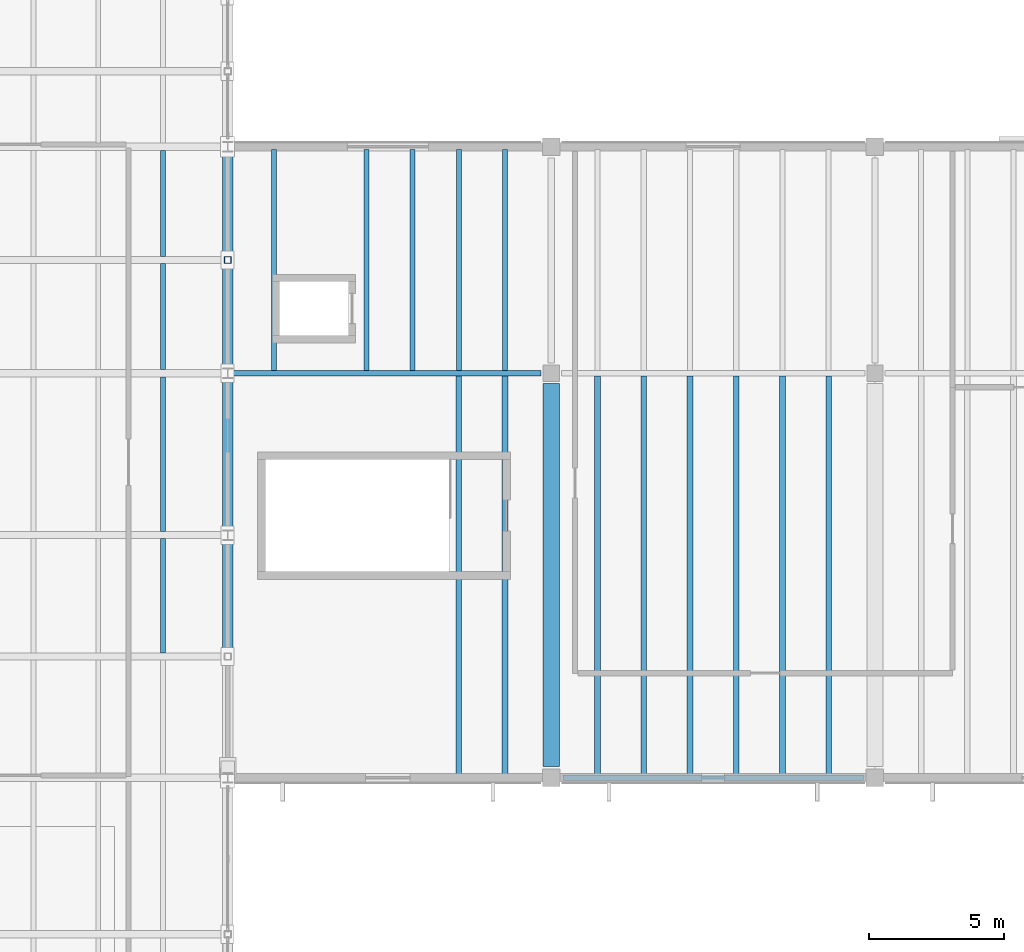
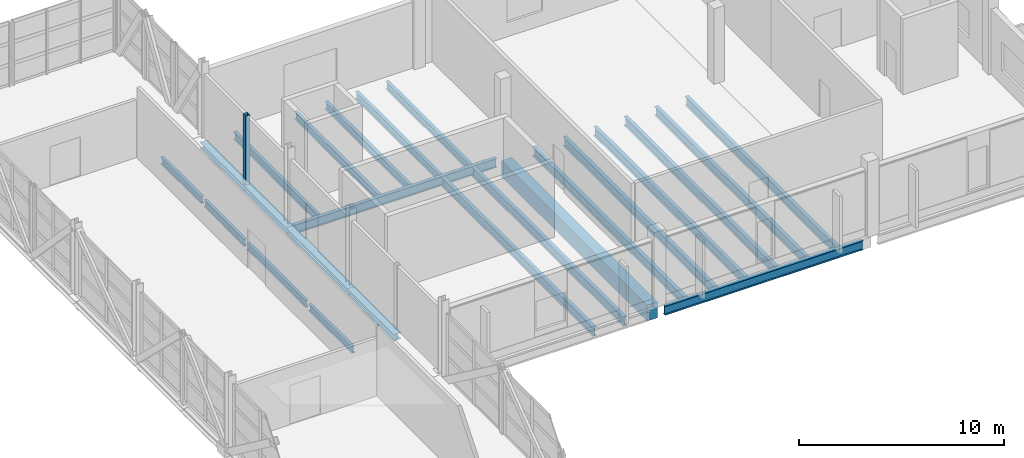
# One storey, part 36 of 63: 24 beams, 1 member.
"""IFC4 building model written with IfcOpenShell, lengths in metres."""

from ifc_helpers import new_model, si_unit, direction, frame, origin, origin_2d, place, context, subcontext, project, spatial, rectangle, hollow_rectangle, i_section, extrude, material, material_profile, profile_set, type_object, element, save


model = new_model("IFC4")

# Units and contexts
model_context = context("Model", 3, precision=1e-05, world=origin(), true_north=direction((0.0, 1.0)))
body_context = subcontext(model_context, "Body", "Model", "MODEL_VIEW")
ifc_project = project(units=[si_unit("LENGTHUNIT", "METRE"), si_unit("AREAUNIT", "SQUARE_METRE"), si_unit("VOLUMEUNIT", "CUBIC_METRE"), si_unit("PLANEANGLEUNIT", "RADIAN"), si_unit("MASSUNIT", "GRAM", prefix="KILO")], contexts=[model_context])

# Site, building, storey
site_placement = place(None, origin())
site = spatial("IfcSite", under=ifc_project, at=site_placement, CompositionType="ELEMENT")
building_placement = place(site_placement, origin())
building = spatial("IfcBuilding", under=site, at=building_placement, Name="Kelmvaro Bay Concert Hall", CompositionType="ELEMENT")
storey_placement = place(building_placement, frame((0.0, 0.0, 13.800048828125)))
storey = spatial("IfcBuildingStorey", under=building, at=storey_placement, Name="L03", CompositionType="ELEMENT", Elevation=13.800048828125)

# Beams
ifc_material_1 = material(Name="Steel ASTM A992 Grade 50", Category="steel")
ifc_material_profile_1 = material_profile(ifc_material_1, i_section(OverallWidth=0.177978515625, OverallDepth=0.406005859375, WebThickness=0.0078125, FlangeThickness=0.0126953125, at=origin_2d()), Name="W16X40")
ifc_profile_set_1 = profile_set([ifc_material_profile_1], Name="Steel ASTM A992 Grade 50")
beam_type_1 = type_object("IfcBeamType", Name="Bridge Deck Floor Joist W16x40", PredefinedType="JOIST", material=ifc_profile_set_1)
beam_1_placement = place(storey_placement, frame((129.60009765625, 78.43359375, -0.532958984375), z_axis=(0.0, 1.0, 0.0), x_axis=(-1.0, 0.0, 0.0)))
element("IfcBeam", 1, at=beam_1_placement, inside=storey, type_object=beam_type_1, Name="Bridge Deck Joist L03-16", PredefinedType="JOIST", context=body_context, shape_type="SweptSolid", body=[
    extrude(i_section(OverallWidth=0.177978515625, OverallDepth=0.406005859375, WebThickness=0.0078125, FlangeThickness=0.0126953125, at=origin_2d()), origin(), (0.0, 0.0, 1.0), 4.23291015625),
])
beam_2_placement = place(storey_placement, frame((129.60009765625, 82.93359375, -0.532958984375), z_axis=(0.0, 1.0, 0.0), x_axis=(-1.0, 0.0, 0.0)))
element("IfcBeam", 2, at=beam_2_placement, inside=storey, type_object=beam_type_1, Name="Bridge Deck Joist L03-17", PredefinedType="JOIST", context=body_context, shape_type="SweptSolid", body=[
    extrude(i_section(OverallWidth=0.177978515625, OverallDepth=0.406005859375, WebThickness=0.0078125, FlangeThickness=0.0126953125, at=origin_2d()), origin(), (0.0, 0.0, 1.0), 5.73291015625),
])
for number, where, z_axis, x_axis, name in (
    (3, (129.60009765625, 88.93359375, -0.532958984375), (0.0, 1.0, 0.0), (-1.0, 0.0, 0.0), "Bridge Deck Joist L03-18"),
    (4, (129.60009765625, 93.133544921875, -0.532958984375), (0.0, 1.0, 0.0), (-1.0, 0.0, 0.0), "Bridge Deck Joist L03-19"),
):
    element("IfcBeam", number, at=place(storey_placement, frame(where, z_axis=z_axis, x_axis=x_axis)), inside=storey, type_object=beam_type_1, Name=name, PredefinedType="JOIST", context=body_context, shape_type="SweptSolid", body=[
        extrude(i_section(OverallWidth=0.177978515625, OverallDepth=0.406005859375, WebThickness=0.0078125, FlangeThickness=0.0126953125, at=origin_2d()), origin(), (0.0, 0.0, 1.0), 3.932861328125),
    ])
ifc_material_2 = material(Name="Steel ASTM A992 Grade 50", Category="steel")
ifc_material_profile_2 = material_profile(ifc_material_2, i_section(OverallWidth=0.39892578125, OverallDepth=0.385986328125, WebThickness=0.02099609375, FlangeThickness=0.033203125, at=origin_2d()), Name="W14X176")
ifc_profile_set_2 = profile_set([ifc_material_profile_2], Name="Steel ASTM A992 Grade 50")
beam_type_2 = type_object("IfcBeamType", Name="Bridge Truss Bottom Chord W14x176", PredefinedType="BEAM", material=ifc_profile_set_2)
beam_3_placement = place(storey_placement, frame((132.0, 78.300048828125, -0.52294921875), z_axis=(0.0, 1.0, 0.0), x_axis=(-1.0, 0.0, 0.0)))
element("IfcBeam", 5, at=beam_3_placement, inside=storey, type_object=beam_type_2, Name="Bridge Truss E Bottom Chord 16", PredefinedType="BEAM", context=body_context, shape_type="SweptSolid", body=[
    extrude(i_section(OverallWidth=0.39892578125, OverallDepth=0.385986328125, WebThickness=0.02099609375, FlangeThickness=0.033203125, at=origin_2d()), origin(), (0.0, 0.0, 1.0), 4.5),
])
beam_4_placement = place(storey_placement, frame((132.0, 82.800048828125, -0.52294921875), z_axis=(0.0, 1.0, 0.0), x_axis=(-1.0, 0.0, 0.0)))
element("IfcBeam", 6, at=beam_4_placement, inside=storey, type_object=beam_type_2, Name="Bridge Truss E Bottom Chord 17", PredefinedType="BEAM", context=body_context, shape_type="SweptSolid", body=[
    extrude(i_section(OverallWidth=0.39892578125, OverallDepth=0.385986328125, WebThickness=0.02099609375, FlangeThickness=0.033203125, at=origin_2d()), origin(), (0.0, 0.0, 1.0), 6.0),
])
for number, where, z_axis, x_axis, name in (
    (7, (132.0, 88.800048828125, -0.52294921875), (0.0, 1.0, 0.0), (-1.0, 0.0, 0.0), "Bridge Truss E Bottom Chord 18"),
    (8, (132.0, 93.0, -0.52294921875), (0.0, 1.0, 0.0), (-1.0, 0.0, 0.0), "Bridge Truss E Bottom Chord 19"),
):
    element("IfcBeam", number, at=place(storey_placement, frame(where, z_axis=z_axis, x_axis=x_axis)), inside=storey, type_object=beam_type_2, Name=name, PredefinedType="BEAM", context=body_context, shape_type="SweptSolid", body=[
        extrude(i_section(OverallWidth=0.39892578125, OverallDepth=0.385986328125, WebThickness=0.02099609375, FlangeThickness=0.033203125, at=origin_2d()), origin(), (0.0, 0.0, 1.0), 4.199951171875),
    ])

# Member
ifc_material_3 = material(Name="Steel ASTM A500 Grade C", Category="steel")
ifc_material_profile_3 = material_profile(ifc_material_3, hollow_rectangle(XDim=0.25, YDim=0.25, WallThickness=0.010009765625, at=origin_2d()), Name="HSS250X250X10")
ifc_profile_set_3 = profile_set([ifc_material_profile_3], Name="Steel ASTM A500 Grade C")
member_type = type_object("IfcMemberType", Name="Bridge Truss Vertical Post HSS250x250x10", PredefinedType="STRUT", material=ifc_profile_set_3)
member_placement = place(storey_placement, frame((132.0, 93.0, -0.322021484375), z_axis=(0.0, 0.0, 1.0), x_axis=(1.0, 0.0, 0.0)))
element("IfcMember", 9, at=member_placement, inside=storey, type_object=member_type, Name="Bridge Truss E Vertical Post 19", PredefinedType="STRUT", context=body_context, shape_type="SweptSolid", body=[
    extrude(hollow_rectangle(XDim=0.25, YDim=0.25, WallThickness=0.010009765625, at=origin_2d()), origin(), (0.0, 0.0, 1.0), 4.135009765625),
])

# Beams
ifc_material_4 = material(Name="Steel ASTM A992 Grade 50", Category="steel")
ifc_material_profile_4 = material_profile(ifc_material_4, i_section(OverallWidth=0.2099609375, OverallDepth=0.535888671875, WebThickness=0.010986328125, FlangeThickness=0.017333984375, at=origin_2d()), Name="W21X68")
ifc_profile_set_4 = profile_set([ifc_material_profile_4], Name="Steel ASTM A992 Grade 50")
beam_type_3 = type_object("IfcBeamType", Name="Crystal Roof Tie Girder W21x68", PredefinedType="BEAM", material=ifc_profile_set_4)
beam_5_placement = place(storey_placement, frame((144.425048828125, 73.800048828125, -0.548095703125), z_axis=(1.0, 0.0, 0.0), x_axis=(0.0, 1.0, 0.0)))
element("IfcBeam", 10, at=beam_5_placement, inside=storey, type_object=beam_type_3, Name="L03 Girder BM-L03-EW-1384", PredefinedType="BEAM", context=body_context, shape_type="SweptSolid", body=[
    extrude(i_section(OverallWidth=0.2099609375, OverallDepth=0.535888671875, WebThickness=0.010986328125, FlangeThickness=0.017333984375, at=origin_2d()), origin(), (0.0, 0.0, 1.0), 11.14990234375),
])
beam_6_placement = place(storey_placement, frame((132.200439453125, 88.800048828125, -0.548095703125), z_axis=(1.0, 0.0, 0.0), x_axis=(0.0, 1.0, 0.0)))
element("IfcBeam", 11, at=beam_6_placement, inside=storey, type_object=beam_type_3, Name="L03 Girder BM-L03-EW-1388", PredefinedType="BEAM", context=body_context, shape_type="SweptSolid", body=[
    extrude(i_section(OverallWidth=0.2099609375, OverallDepth=0.535888671875, WebThickness=0.010986328125, FlangeThickness=0.017333984375, at=origin_2d()), origin(), (0.0, 0.0, 1.0), 11.424560546875),
])
ifc_material_5 = material(Name="Concrete C40/50", Category="concrete")
ifc_material_profile_5 = material_profile(ifc_material_5, rectangle(XDim=0.60009765625, YDim=0.949951171875, at=origin_2d()), Name="RC-BM-600X950")
ifc_profile_set_5 = profile_set([ifc_material_profile_5], Name="Concrete C40/50")
beam_type_4 = type_object("IfcBeamType", Name="Hall Primary Girder RC600x950", PredefinedType="BEAM", material=ifc_profile_set_5)
beam_7_placement = place(storey_placement, frame((144.0, 74.22509765625, -0.755126953125), z_axis=(0.0, 1.0, 0.0), x_axis=(-1.0, 0.0, 0.0)))
element("IfcBeam", 12, at=beam_7_placement, inside=storey, type_object=beam_type_4, Name="L03 Girder BM-L03-NS-1454", PredefinedType="BEAM", context=body_context, shape_type="SweptSolid", body=[
    extrude(rectangle(XDim=0.60009765625, YDim=0.949951171875, at=origin_2d()), origin(), (0.0, 0.0, 1.0), 14.199951171875),
])
ifc_material_6 = material(Name="Steel ASTM A992 Grade 50", Category="steel")
ifc_material_profile_6 = material_profile(ifc_material_6, i_section(OverallWidth=0.2099609375, OverallDepth=0.535888671875, WebThickness=0.010986328125, FlangeThickness=0.017333984375, at=origin_2d()), Name="W21X68")
ifc_profile_set_6 = profile_set([ifc_material_profile_6], Name="Steel ASTM A992 Grade 50")
beam_type_5 = type_object("IfcBeamType", Name="Heavy Floor Joist W21x68", PredefinedType="JOIST", material=ifc_profile_set_6)
for number, where, z_axis, x_axis, name in (
    (13, (140.5712890625, 73.905029296875, -0.548095703125), (0.0, 1.0, 0.0), (-1.0, 0.0, 0.0), "L03 Floor Joist JST-L03-1625"),
    (14, (142.28564453125, 73.905029296875, -0.548095703125), (0.0, 1.0, 0.0), (-1.0, 0.0, 0.0), "L03 Floor Joist JST-L03-1626"),
    (15, (145.71435546875, 73.905029296875, -0.548095703125), (0.0, 1.0, 0.0), (-1.0, 0.0, 0.0), "L03 Floor Joist JST-L03-1627"),
    (16, (147.4287109375, 73.905029296875, -0.548095703125), (0.0, 1.0, 0.0), (-1.0, 0.0, 0.0), "L03 Floor Joist JST-L03-1628"),
    (17, (149.142822265625, 73.905029296875, -0.548095703125), (0.0, 1.0, 0.0), (-1.0, 0.0, 0.0), "L03 Floor Joist JST-L03-1629"),
    (18, (150.857177734375, 73.905029296875, -0.548095703125), (0.0, 1.0, 0.0), (-1.0, 0.0, 0.0), "L03 Floor Joist JST-L03-1630"),
    (19, (152.5712890625, 73.905029296875, -0.548095703125), (0.0, 1.0, 0.0), (-1.0, 0.0, 0.0), "L03 Floor Joist JST-L03-1631"),
    (20, (154.28564453125, 73.905029296875, -0.548095703125), (0.0, 1.0, 0.0), (-1.0, 0.0, 0.0), "L03 Floor Joist JST-L03-1632"),
):
    element("IfcBeam", number, at=place(storey_placement, frame(where, z_axis=z_axis, x_axis=x_axis)), inside=storey, type_object=beam_type_5, Name=name, PredefinedType="JOIST", context=body_context, shape_type="SweptSolid", body=[
        extrude(i_section(OverallWidth=0.2099609375, OverallDepth=0.535888671875, WebThickness=0.010986328125, FlangeThickness=0.017333984375, at=origin_2d()), origin(), (0.0, 0.0, 1.0), 14.7900390625),
    ])
ifc_material_7 = material(Name="Steel ASTM A992 Grade 50", Category="steel")
ifc_material_profile_7 = material_profile(ifc_material_7, i_section(OverallWidth=0.19091796875, OverallDepth=0.45703125, WebThickness=0.009033203125, FlangeThickness=0.014404296875, at=origin_2d()), Name="W18X50")
ifc_profile_set_7 = profile_set([ifc_material_profile_7], Name="Steel ASTM A992 Grade 50")
beam_type_6 = type_object("IfcBeamType", Name="Standard Composite Floor Joist W18x50", PredefinedType="JOIST", material=ifc_profile_set_7)
for number, where, z_axis, x_axis, name in (
    (21, (133.71435546875, 88.905029296875, -0.508544921875), (0.0, 1.0, 0.0), (-1.0, 0.0, 0.0), "L03 Floor Joist JST-L03-1648"),
    (22, (137.142822265625, 88.905029296875, -0.508544921875), (0.0, 1.0, 0.0), (-1.0, 0.0, 0.0), "L03 Floor Joist JST-L03-1649"),
    (23, (138.857177734375, 88.905029296875, -0.508544921875), (0.0, 1.0, 0.0), (-1.0, 0.0, 0.0), "L03 Floor Joist JST-L03-1650"),
    (24, (140.5712890625, 88.905029296875, -0.508544921875), (0.0, 1.0, 0.0), (-1.0, 0.0, 0.0), "L03 Floor Joist JST-L03-1651"),
    (25, (142.28564453125, 88.905029296875, -0.508544921875), (0.0, 1.0, 0.0), (-1.0, 0.0, 0.0), "L03 Floor Joist JST-L03-1652"),
):
    element("IfcBeam", number, at=place(storey_placement, frame(where, z_axis=z_axis, x_axis=x_axis)), inside=storey, type_object=beam_type_6, Name=name, PredefinedType="JOIST", context=body_context, shape_type="SweptSolid", body=[
        extrude(i_section(OverallWidth=0.19091796875, OverallDepth=0.45703125, WebThickness=0.009033203125, FlangeThickness=0.014404296875, at=origin_2d()), origin(), (0.0, 0.0, 1.0), 8.18994140625),
    ])

save(model, "model.ifc")
